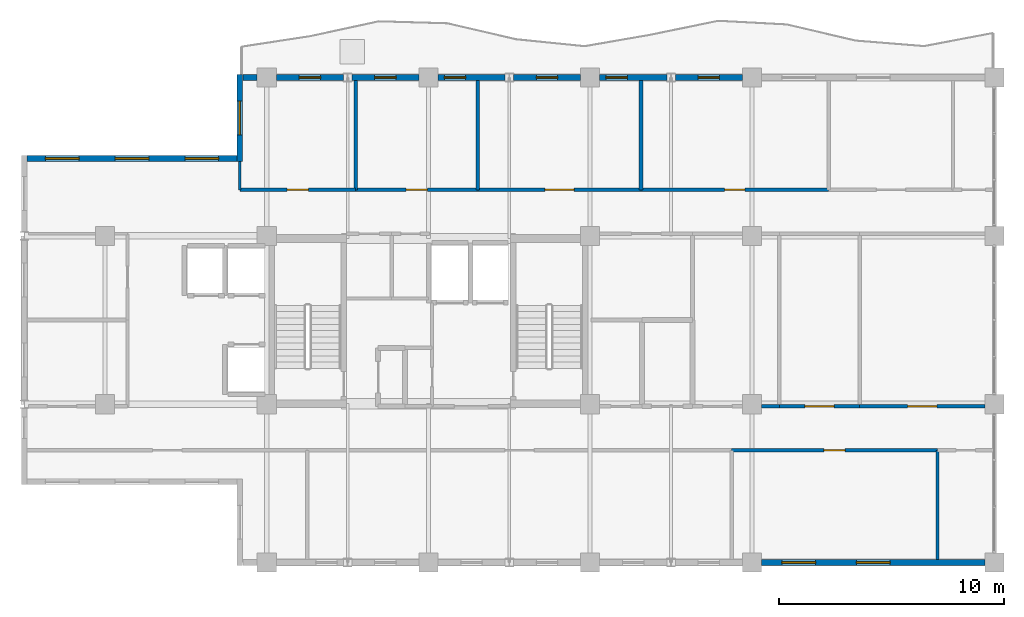
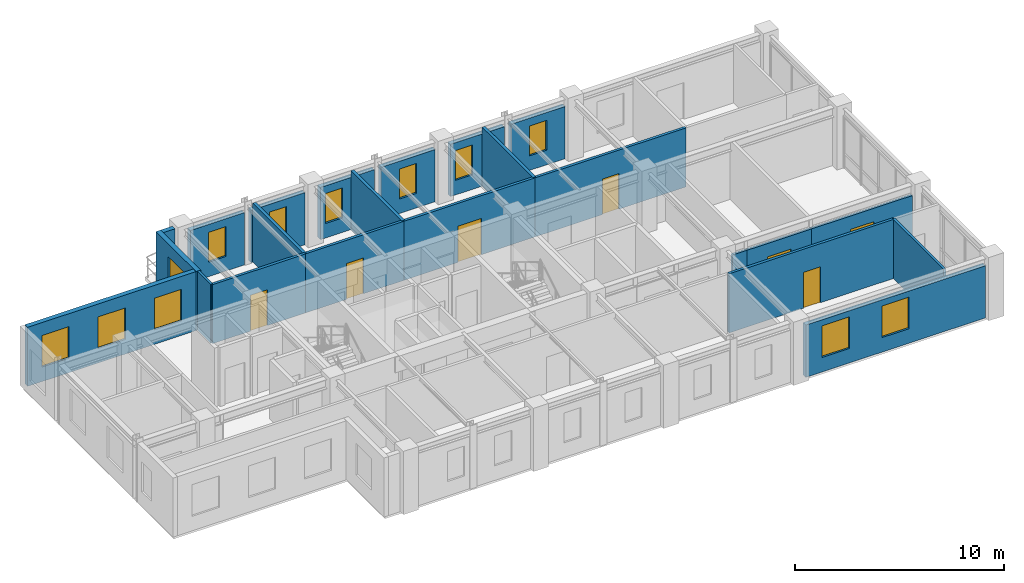
# One storey, part 8 of 10: 23 walls, 12 windows, 7 doors, 19 openings.
"""IFC4 building model written with IfcOpenShell, lengths in metres."""

from ifc_helpers import new_model, si_unit, direction, frame, frame_2d, origin, place, context, subcontext, project, spatial, rectangle, extrude, material, layer, layer_set, type_object, element, fill, save


model = new_model("IFC4")

# Units and contexts
model_context = context("Model", 3, precision=1e-05, world=origin(), true_north=direction((0.0, 1.0)))
body_context = subcontext(model_context, "Body", "Model", "MODEL_VIEW")
ifc_project = project(units=[si_unit("LENGTHUNIT", "METRE"), si_unit("AREAUNIT", "SQUARE_METRE"), si_unit("VOLUMEUNIT", "CUBIC_METRE"), si_unit("PLANEANGLEUNIT", "RADIAN"), si_unit("MASSUNIT", "GRAM", prefix="KILO")], contexts=[model_context])

# Site, building, storey
site_placement = place(None, origin())
site = spatial("IfcSite", under=ifc_project, at=site_placement, CompositionType="ELEMENT")
building_placement = place(site_placement, origin())
building = spatial("IfcBuilding", under=site, at=building_placement, Name="Kaliganga Portal Commons", CompositionType="ELEMENT")
storey_placement = place(building_placement, frame((0.0, 0.0, 283.199951171875)))
storey = spatial("IfcBuildingStorey", under=building, at=storey_placement, Name="L73", CompositionType="ELEMENT", Elevation=283.199951171875)

# Wall, openings, windows
ifc_material_1 = material(Name="Insulated Aluminium-Clad Spandrel Assembly", Category="aluminium")
ifc_layer_1 = layer(ifc_material_1, 0.260009765625)
ifc_layer_set_1 = layer_set([ifc_layer_1], Name="Insulated Aluminium-Clad Spandrel Assembly")
wall_type_1 = type_object("IfcWallType", Name="WL-EXT-SPAND-260", PredefinedType="STANDARD", material=ifc_layer_set_1)
wall_1_placement = place(storey_placement, frame((46.3740234375, 21.60009765625, 0.0), z_axis=(0.0, 0.0, 1.0), x_axis=(-1.0, 0.0, 0.0)))
wall_1 = element("IfcWall", 1, at=wall_1_placement, inside=storey, type_object=wall_type_1, Name="Exterior Envelope Wall L73 P1-E00-S8", PredefinedType="STANDARD", context=body_context, shape_type="SweptSolid", body=[
    extrude(rectangle(XDim=9.947998046875, YDim=0.260009765625, at=frame_2d((4.97412109375, 0.0))), origin(), (0.0, 0.0, 1.0), 3.054931640625),
])
opening_1_placement = place(wall_1_placement, frame((4.22412109375, 0.0, 0.85009765625)))
opening_1 = element("IfcOpeningElement", 2, at=opening_1_placement, cuts=wall_1, Name="Opening W-02", PredefinedType="OPENING", context=body_context, shape_type="SweptSolid", body=[
    extrude(rectangle(XDim=1.5, YDim=1.85009765625, at=frame_2d((0.75, 0.925048828125))), frame((0.0, 0.14013671875, 0.0), z_axis=(0.0, -1.0, 0.0), x_axis=(1.0, 0.0, 0.0)), (0.0, 0.0, 1.0), 0.280029296875),
])
opening_2_placement = place(wall_1_placement, frame((7.5400390625, 0.0, 0.85009765625)))
opening_2 = element("IfcOpeningElement", 3, at=opening_2_placement, cuts=wall_1, Name="Opening W-02", PredefinedType="OPENING", context=body_context, shape_type="SweptSolid", body=[
    extrude(rectangle(XDim=1.5, YDim=1.85009765625, at=frame_2d((0.75, 0.925048828125))), frame((0.0, 0.14013671875, 0.0), z_axis=(0.0, -1.0, 0.0), x_axis=(1.0, 0.0, 0.0)), (0.0, 0.0, 1.0), 0.280029296875),
])
ifc_material_2 = material(Name="Thermally Broken Aluminium and Low-E Double Glazing", Category="aluminium")
window_type_1 = type_object("IfcWindowType", Name="WIN-STD-1500", PartitioningType="DOUBLE_PANEL_VERTICAL", PredefinedType="WINDOW", material=ifc_material_2)
window_1_placement = place(opening_1_placement, origin())
window_1 = element("IfcWindow", 4, at=window_1_placement, inside=storey, type_object=window_type_1, Name="Facade Window L73-P1E00S8-01", OverallHeight=1.85009765625, OverallWidth=1.5, PartitioningType="SINGLE_PANEL", PredefinedType="WINDOW", context=body_context, shape_type="SweptSolid", body=[
    extrude(rectangle(XDim=1.5, YDim=1.85009765625, at=frame_2d((0.75, 0.925048828125))), frame((0.0, 0.030029296875, 0.0), z_axis=(0.0, -1.0, 0.0), x_axis=(1.0, 0.0, 0.0)), (0.0, 0.0, 1.0), 0.06005859375),
])
fill(opening_1, window_1)
window_2_placement = place(opening_2_placement, origin())
window_2 = element("IfcWindow", 5, at=window_2_placement, inside=storey, type_object=window_type_1, Name="Facade Window L73-P1E00S8-02", OverallHeight=1.85009765625, OverallWidth=1.5, PartitioningType="SINGLE_PANEL", PredefinedType="WINDOW", context=body_context, shape_type="SweptSolid", body=[
    extrude(rectangle(XDim=1.5, YDim=1.85009765625, at=frame_2d((0.75, 0.925048828125))), frame((0.0, 0.030029296875, 0.0), z_axis=(0.0, -1.0, 0.0), x_axis=(1.0, 0.0, 0.0)), (0.0, 0.0, 1.0), 0.06005859375),
])
fill(opening_2, window_2)

# Wall, opening, window
wall_2_placement = place(storey_placement, frame((32.587890625, 43.199951171875, 0.0), z_axis=(0.0, 0.0, 1.0), x_axis=(1.0, 0.0, 0.0)))
wall_2 = element("IfcWall", 6, at=wall_2_placement, inside=storey, type_object=wall_type_1, Name="Exterior Envelope Wall L73 P1-E02-S2", PredefinedType="STANDARD", context=body_context, shape_type="SweptSolid", body=[
    extrude(rectangle(XDim=2.986083984375, YDim=0.260009765625, at=frame_2d((1.4931640625, 0.0))), origin(), (0.0, 0.0, 1.0), 3.054931640625),
])
opening_3_placement = place(wall_2_placement, frame((1.01806640625, 0.0, 0.85009765625)))
opening_3 = element("IfcOpeningElement", 7, at=opening_3_placement, cuts=wall_2, Name="Opening W-04", PredefinedType="OPENING", context=body_context, shape_type="SweptSolid", body=[
    extrude(rectangle(XDim=0.949951171875, YDim=1.75, at=frame_2d((0.47509765625, 0.875))), frame((0.0, 0.14013671875, 0.0), z_axis=(0.0, -1.0, 0.0), x_axis=(1.0, 0.0, 0.0)), (0.0, 0.0, 1.0), 0.280029296875),
])
window_type_2 = type_object("IfcWindowType", Name="WIN-NARROW-950", PartitioningType="SINGLE_PANEL", PredefinedType="WINDOW", material=ifc_material_2)
window_3_placement = place(opening_3_placement, origin())
window_3 = element("IfcWindow", 8, at=window_3_placement, inside=storey, type_object=window_type_2, Name="Facade Window L73-P1E02S2-00", OverallHeight=1.75, OverallWidth=0.949951171875, PartitioningType="SINGLE_PANEL", PredefinedType="WINDOW", context=body_context, shape_type="SweptSolid", body=[
    extrude(rectangle(XDim=0.949951171875, YDim=1.75, at=frame_2d((0.47509765625, 0.875))), frame((0.0, 0.030029296875, 0.0), z_axis=(0.0, -1.0, 0.0), x_axis=(1.0, 0.0, 0.0)), (0.0, 0.0, 1.0), 0.06005859375),
])
fill(opening_3, window_3)

wall_3_placement = place(storey_placement, frame((29.22607421875, 43.199951171875, 0.0), z_axis=(0.0, 0.0, 1.0), x_axis=(1.0, 0.0, 0.0)))
wall_3 = element("IfcWall", 9, at=wall_3_placement, inside=storey, type_object=wall_type_1, Name="Exterior Envelope Wall L73 P1-E02-S3", PredefinedType="STANDARD", context=body_context, shape_type="SweptSolid", body=[
    extrude(rectangle(XDim=2.98583984375, YDim=0.260009765625, at=frame_2d((1.492919921875, 0.0))), origin(), (0.0, 0.0, 1.0), 3.054931640625),
])
opening_4_placement = place(wall_3_placement, frame((0.277587890625, 0.0, 0.85009765625)))
opening_4 = element("IfcOpeningElement", 10, at=opening_4_placement, cuts=wall_3, Name="Opening W-04", PredefinedType="OPENING", context=body_context, shape_type="SweptSolid", body=[
    extrude(rectangle(XDim=0.949951171875, YDim=1.75, at=frame_2d((0.47509765625, 0.875))), frame((0.0, 0.14013671875, 0.0), z_axis=(0.0, -1.0, 0.0), x_axis=(1.0, 0.0, 0.0)), (0.0, 0.0, 1.0), 0.280029296875),
])
window_4_placement = place(opening_4_placement, origin())
window_4 = element("IfcWindow", 11, at=window_4_placement, inside=storey, type_object=window_type_2, Name="Facade Window L73-P1E02S3-N1", OverallHeight=1.75, OverallWidth=0.949951171875, PartitioningType="SINGLE_PANEL", PredefinedType="WINDOW", context=body_context, shape_type="SweptSolid", body=[
    extrude(rectangle(XDim=0.949951171875, YDim=1.75, at=frame_2d((0.47509765625, 0.875))), frame((0.0, 0.030029296875, 0.0), z_axis=(0.0, -1.0, 0.0), x_axis=(1.0, 0.0, 0.0)), (0.0, 0.0, 1.0), 0.06005859375),
])
fill(opening_4, window_4)

wall_4_placement = place(storey_placement, frame((25.387939453125, 43.199951171875, 0.0), z_axis=(0.0, 0.0, 1.0), x_axis=(1.0, 0.0, 0.0)))
wall_4 = element("IfcWall", 12, at=wall_4_placement, inside=storey, type_object=wall_type_1, Name="Exterior Envelope Wall L73 P1-E02-S4", PredefinedType="STANDARD", context=body_context, shape_type="SweptSolid", body=[
    extrude(rectangle(XDim=2.986083984375, YDim=0.260009765625, at=frame_2d((1.4931640625, 0.0))), origin(), (0.0, 0.0, 1.0), 3.054931640625),
])
opening_5_placement = place(wall_4_placement, frame((1.01806640625, 0.0, 0.85009765625)))
opening_5 = element("IfcOpeningElement", 13, at=opening_5_placement, cuts=wall_4, Name="Opening W-04", PredefinedType="OPENING", context=body_context, shape_type="SweptSolid", body=[
    extrude(rectangle(XDim=0.949951171875, YDim=1.75, at=frame_2d((0.47509765625, 0.875))), frame((0.0, 0.14013671875, 0.0), z_axis=(0.0, -1.0, 0.0), x_axis=(1.0, 0.0, 0.0)), (0.0, 0.0, 1.0), 0.280029296875),
])
window_5_placement = place(opening_5_placement, origin())
window_5 = element("IfcWindow", 14, at=window_5_placement, inside=storey, type_object=window_type_2, Name="Facade Window L73-P1E02S4-00", OverallHeight=1.75, OverallWidth=0.949951171875, PartitioningType="SINGLE_PANEL", PredefinedType="WINDOW", context=body_context, shape_type="SweptSolid", body=[
    extrude(rectangle(XDim=0.949951171875, YDim=1.75, at=frame_2d((0.47509765625, 0.875))), frame((0.0, 0.030029296875, 0.0), z_axis=(0.0, -1.0, 0.0), x_axis=(1.0, 0.0, 0.0)), (0.0, 0.0, 1.0), 0.06005859375),
])
fill(opening_5, window_5)

wall_5_placement = place(storey_placement, frame((22.02587890625, 43.199951171875, 0.0), z_axis=(0.0, 0.0, 1.0), x_axis=(1.0, 0.0, 0.0)))
wall_5 = element("IfcWall", 15, at=wall_5_placement, inside=storey, type_object=wall_type_1, Name="Exterior Envelope Wall L73 P1-E02-S5", PredefinedType="STANDARD", context=body_context, shape_type="SweptSolid", body=[
    extrude(rectangle(XDim=2.986083984375, YDim=0.260009765625, at=frame_2d((1.4931640625, 0.0))), origin(), (0.0, 0.0, 1.0), 3.054931640625),
])
opening_6_placement = place(wall_5_placement, frame((0.277587890625, 0.0, 0.85009765625)))
opening_6 = element("IfcOpeningElement", 16, at=opening_6_placement, cuts=wall_5, Name="Opening W-04", PredefinedType="OPENING", context=body_context, shape_type="SweptSolid", body=[
    extrude(rectangle(XDim=0.949951171875, YDim=1.75, at=frame_2d((0.47509765625, 0.875))), frame((0.0, 0.14013671875, 0.0), z_axis=(0.0, -1.0, 0.0), x_axis=(1.0, 0.0, 0.0)), (0.0, 0.0, 1.0), 0.280029296875),
])
window_6_placement = place(opening_6_placement, origin())
window_6 = element("IfcWindow", 17, at=window_6_placement, inside=storey, type_object=window_type_2, Name="Facade Window L73-P1E02S5-N1", OverallHeight=1.75, OverallWidth=0.949951171875, PartitioningType="SINGLE_PANEL", PredefinedType="WINDOW", context=body_context, shape_type="SweptSolid", body=[
    extrude(rectangle(XDim=0.949951171875, YDim=1.75, at=frame_2d((0.47509765625, 0.875))), frame((0.0, 0.030029296875, 0.0), z_axis=(0.0, -1.0, 0.0), x_axis=(1.0, 0.0, 0.0)), (0.0, 0.0, 1.0), 0.06005859375),
])
fill(opening_6, window_6)

wall_6_placement = place(storey_placement, frame((18.18798828125, 43.199951171875, 0.0), z_axis=(0.0, 0.0, 1.0), x_axis=(1.0, 0.0, 0.0)))
wall_6 = element("IfcWall", 18, at=wall_6_placement, inside=storey, type_object=wall_type_1, Name="Exterior Envelope Wall L73 P1-E02-S6", PredefinedType="STANDARD", context=body_context, shape_type="SweptSolid", body=[
    extrude(rectangle(XDim=2.986083984375, YDim=0.260009765625, at=frame_2d((1.4931640625, 0.0))), origin(), (0.0, 0.0, 1.0), 3.054931640625),
])
opening_7_placement = place(wall_6_placement, frame((1.01806640625, 0.0, 0.85009765625)))
opening_7 = element("IfcOpeningElement", 19, at=opening_7_placement, cuts=wall_6, Name="Opening W-04", PredefinedType="OPENING", context=body_context, shape_type="SweptSolid", body=[
    extrude(rectangle(XDim=0.949951171875, YDim=1.75, at=frame_2d((0.47509765625, 0.875))), frame((0.0, 0.14013671875, 0.0), z_axis=(0.0, -1.0, 0.0), x_axis=(1.0, 0.0, 0.0)), (0.0, 0.0, 1.0), 0.280029296875),
])
window_7_placement = place(opening_7_placement, origin())
window_7 = element("IfcWindow", 20, at=window_7_placement, inside=storey, type_object=window_type_2, Name="Facade Window L73-P1E02S6-00", OverallHeight=1.75, OverallWidth=0.949951171875, PartitioningType="SINGLE_PANEL", PredefinedType="WINDOW", context=body_context, shape_type="SweptSolid", body=[
    extrude(rectangle(XDim=0.949951171875, YDim=1.75, at=frame_2d((0.47509765625, 0.875))), frame((0.0, 0.030029296875, 0.0), z_axis=(0.0, -1.0, 0.0), x_axis=(1.0, 0.0, 0.0)), (0.0, 0.0, 1.0), 0.06005859375),
])
fill(opening_7, window_7)

wall_7_placement = place(storey_placement, frame((14.825927734375, 43.199951171875, 0.0), z_axis=(0.0, 0.0, 1.0), x_axis=(1.0, 0.0, 0.0)))
wall_7 = element("IfcWall", 21, at=wall_7_placement, inside=storey, type_object=wall_type_1, Name="Exterior Envelope Wall L73 P1-E02-S7", PredefinedType="STANDARD", context=body_context, shape_type="SweptSolid", body=[
    extrude(rectangle(XDim=2.986083984375, YDim=0.260009765625, at=frame_2d((1.4931640625, 0.0))), origin(), (0.0, 0.0, 1.0), 3.054931640625),
])
opening_8_placement = place(wall_7_placement, frame((1.01806640625, 0.0, 0.85009765625)))
opening_8 = element("IfcOpeningElement", 22, at=opening_8_placement, cuts=wall_7, Name="Opening W-04", PredefinedType="OPENING", context=body_context, shape_type="SweptSolid", body=[
    extrude(rectangle(XDim=0.949951171875, YDim=1.75, at=frame_2d((0.47509765625, 0.875))), frame((0.0, 0.14013671875, 0.0), z_axis=(0.0, -1.0, 0.0), x_axis=(1.0, 0.0, 0.0)), (0.0, 0.0, 1.0), 0.280029296875),
])
window_8_placement = place(opening_8_placement, origin())
window_8 = element("IfcWindow", 23, at=window_8_placement, inside=storey, type_object=window_type_2, Name="Facade Window L73-P1E02S7-00", OverallHeight=1.75, OverallWidth=0.949951171875, PartitioningType="SINGLE_PANEL", PredefinedType="WINDOW", context=body_context, shape_type="SweptSolid", body=[
    extrude(rectangle(XDim=0.949951171875, YDim=1.75, at=frame_2d((0.47509765625, 0.875))), frame((0.0, 0.030029296875, 0.0), z_axis=(0.0, -1.0, 0.0), x_axis=(1.0, 0.0, 0.0)), (0.0, 0.0, 1.0), 0.06005859375),
])
fill(opening_8, window_8)

# Wall
wall_8_placement = place(storey_placement, frame((13.3349609375, 43.199951171875, 0.0), z_axis=(0.0, 0.0, 1.0), x_axis=(1.0, 0.0, 0.0)))
element("IfcWall", 24, at=wall_8_placement, inside=storey, type_object=wall_type_1, Name="Exterior Envelope Wall L73 P1-E02-S8", PredefinedType="STANDARD", context=body_context, shape_type="SweptSolid", body=[
    extrude(rectangle(XDim=0.63916015625, YDim=0.260009765625, at=frame_2d((0.319580078125, 0.0))), origin(), (0.0, 0.0, 1.0), 3.455078125),
])

# Wall, opening, window
wall_9_placement = place(storey_placement, frame((13.199951171875, 39.469970703125, 0.0), z_axis=(0.0, 0.0, 1.0), x_axis=(0.0, 1.0, 0.0)))
wall_9 = element("IfcWall", 25, at=wall_9_placement, inside=storey, type_object=wall_type_1, Name="Exterior Envelope Wall L73 P1-E03-S1", PredefinedType="STANDARD", context=body_context, shape_type="SweptSolid", body=[
    extrude(rectangle(XDim=3.860107421875, YDim=0.260009765625, at=frame_2d((1.93017578125, 0.0))), origin(), (0.0, 0.0, 1.0), 3.455078125),
])
opening_9_placement = place(wall_9_placement, frame((1.179931640625, 0.0, 0.85009765625)))
opening_9 = element("IfcOpeningElement", 26, at=opening_9_placement, cuts=wall_9, Name="Opening W-02", PredefinedType="OPENING", context=body_context, shape_type="SweptSolid", body=[
    extrude(rectangle(XDim=1.5, YDim=1.85009765625, at=frame_2d((0.75, 0.925048828125))), frame((0.0, 0.14013671875, 0.0), z_axis=(0.0, -1.0, 0.0), x_axis=(1.0, 0.0, 0.0)), (0.0, 0.0, 1.0), 0.280029296875),
])
window_9_placement = place(opening_9_placement, origin())
window_9 = element("IfcWindow", 27, at=window_9_placement, inside=storey, type_object=window_type_1, Name="Facade Window L73-P1E03S1-00", OverallHeight=1.85009765625, OverallWidth=1.5, PartitioningType="SINGLE_PANEL", PredefinedType="WINDOW", context=body_context, shape_type="SweptSolid", body=[
    extrude(rectangle(XDim=1.5, YDim=1.85009765625, at=frame_2d((0.75, 0.925048828125))), frame((0.0, 0.030029296875, 0.0), z_axis=(0.0, -1.0, 0.0), x_axis=(1.0, 0.0, 0.0)), (0.0, 0.0, 1.0), 0.06005859375),
])
fill(opening_9, window_9)

# Wall, openings, windows
wall_10_placement = place(storey_placement, frame((3.735107421875, 39.60009765625, 0.0), z_axis=(0.0, 0.0, 1.0), x_axis=(1.0, 0.0, 0.0)))
wall_10 = element("IfcWall", 28, at=wall_10_placement, inside=storey, type_object=wall_type_1, Name="Exterior Envelope Wall L73 P1-E04-S1", PredefinedType="STANDARD", context=body_context, shape_type="SweptSolid", body=[
    extrude(rectangle(XDim=9.329833984375, YDim=0.260009765625, at=frame_2d((4.6650390625, 0.0))), origin(), (0.0, 0.0, 1.0), 3.455078125),
])
opening_10_placement = place(wall_10_placement, frame((0.804931640625, 0.0, 0.85009765625)))
opening_10 = element("IfcOpeningElement", 29, at=opening_10_placement, cuts=wall_10, Name="Opening W-02", PredefinedType="OPENING", context=body_context, shape_type="SweptSolid", body=[
    extrude(rectangle(XDim=1.5, YDim=1.85009765625, at=frame_2d((0.75, 0.925048828125))), frame((0.0, 0.14013671875, 0.0), z_axis=(0.0, -1.0, 0.0), x_axis=(1.0, 0.0, 0.0)), (0.0, 0.0, 1.0), 0.280029296875),
])
opening_11_placement = place(wall_10_placement, frame((3.9150390625, 0.0, 0.85009765625)))
opening_11 = element("IfcOpeningElement", 30, at=opening_11_placement, cuts=wall_10, Name="Opening W-02", PredefinedType="OPENING", context=body_context, shape_type="SweptSolid", body=[
    extrude(rectangle(XDim=1.5, YDim=1.85009765625, at=frame_2d((0.75, 0.925048828125))), frame((0.0, 0.14013671875, 0.0), z_axis=(0.0, -1.0, 0.0), x_axis=(1.0, 0.0, 0.0)), (0.0, 0.0, 1.0), 0.280029296875),
])
opening_12_placement = place(wall_10_placement, frame((7.02490234375, 0.0, 0.85009765625)))
opening_12 = element("IfcOpeningElement", 31, at=opening_12_placement, cuts=wall_10, Name="Opening W-02", PredefinedType="OPENING", context=body_context, shape_type="SweptSolid", body=[
    extrude(rectangle(XDim=1.5, YDim=1.85009765625, at=frame_2d((0.75, 0.925048828125))), frame((0.0, 0.14013671875, 0.0), z_axis=(0.0, -1.0, 0.0), x_axis=(1.0, 0.0, 0.0)), (0.0, 0.0, 1.0), 0.280029296875),
])
window_10_placement = place(opening_10_placement, origin())
window_10 = element("IfcWindow", 32, at=window_10_placement, inside=storey, type_object=window_type_1, Name="Facade Window L73-P1E04S1-00", OverallHeight=1.85009765625, OverallWidth=1.5, PartitioningType="SINGLE_PANEL", PredefinedType="WINDOW", context=body_context, shape_type="SweptSolid", body=[
    extrude(rectangle(XDim=1.5, YDim=1.85009765625, at=frame_2d((0.75, 0.925048828125))), frame((0.0, 0.030029296875, 0.0), z_axis=(0.0, -1.0, 0.0), x_axis=(1.0, 0.0, 0.0)), (0.0, 0.0, 1.0), 0.06005859375),
])
fill(opening_10, window_10)
window_11_placement = place(opening_11_placement, origin())
window_11 = element("IfcWindow", 33, at=window_11_placement, inside=storey, type_object=window_type_1, Name="Facade Window L73-P1E04S1-01", OverallHeight=1.85009765625, OverallWidth=1.5, PartitioningType="SINGLE_PANEL", PredefinedType="WINDOW", context=body_context, shape_type="SweptSolid", body=[
    extrude(rectangle(XDim=1.5, YDim=1.85009765625, at=frame_2d((0.75, 0.925048828125))), frame((0.0, 0.030029296875, 0.0), z_axis=(0.0, -1.0, 0.0), x_axis=(1.0, 0.0, 0.0)), (0.0, 0.0, 1.0), 0.06005859375),
])
fill(opening_11, window_11)
window_12_placement = place(opening_12_placement, origin())
window_12 = element("IfcWindow", 34, at=window_12_placement, inside=storey, type_object=window_type_1, Name="Facade Window L73-P1E04S1-02", OverallHeight=1.85009765625, OverallWidth=1.5, PartitioningType="SINGLE_PANEL", PredefinedType="WINDOW", context=body_context, shape_type="SweptSolid", body=[
    extrude(rectangle(XDim=1.5, YDim=1.85009765625, at=frame_2d((0.75, 0.925048828125))), frame((0.0, 0.030029296875, 0.0), z_axis=(0.0, -1.0, 0.0), x_axis=(1.0, 0.0, 0.0)), (0.0, 0.0, 1.0), 0.06005859375),
])
fill(opening_12, window_12)

# Wall, opening, door
ifc_material_3 = material(Name="Fire-Rated Gypsum Board on Steel Stud", Category="steel")
ifc_layer_2 = layer(ifc_material_3, 0.14990234375)
ifc_layer_set_2 = layer_set([ifc_layer_2], Name="Fire-Rated Gypsum Board on Steel Stud")
wall_type_2 = type_object("IfcWallType", Name="WL-PART-CORR-150", PredefinedType="PARTITIONING", material=ifc_layer_set_2)
wall_11_placement = place(storey_placement, frame((35.10009765625, 26.60009765625, 0.0), z_axis=(0.0, 0.0, 1.0), x_axis=(1.0, 0.0, 0.0)))
wall_11 = element("IfcWall", 35, at=wall_11_placement, inside=storey, type_object=wall_type_2, Name="Interior Partition L73-003", PredefinedType="PARTITIONING", context=body_context, shape_type="SweptSolid", body=[
    extrude(rectangle(XDim=9.159912109375, YDim=0.14990234375, at=frame_2d((4.580078125, 0.0))), origin(), (0.0, 0.0, 1.0), 3.455078125),
])
opening_13_placement = place(wall_11_placement, frame((4.10498046875, 0.0, 0.0)))
opening_13 = element("IfcOpeningElement", 36, at=opening_13_placement, cuts=wall_11, Name="Opening UD-01", PredefinedType="OPENING", context=body_context, shape_type="SweptSolid", body=[
    extrude(rectangle(XDim=0.949951171875, YDim=2.10009765625, at=frame_2d((0.47509765625, 1.050048828125))), frame((0.0, 0.0849609375, 0.0), z_axis=(0.0, -1.0, 0.0), x_axis=(1.0, 0.0, 0.0)), (0.0, 0.0, 1.0), 0.169921875),
])
ifc_material_4 = material(Name="Solid-Core Timber Acoustic Fire Door", Category="wood")
door_type_1 = type_object("IfcDoorType", Name="DR-UNIT-950", OperationType="NOTDEFINED", PredefinedType="DOOR", material=ifc_material_4)
door_1_placement = place(opening_13_placement, origin())
door_1 = element("IfcDoor", 37, at=door_1_placement, inside=storey, type_object=door_type_1, Name="Interior Door L73-AS03", OperationType="SINGLE_SWING_RIGHT", OverallHeight=2.10009765625, OverallWidth=0.949951171875, PredefinedType="DOOR", context=body_context, shape_type="SweptSolid", body=[
    extrude(rectangle(XDim=0.949951171875, YDim=2.10009765625, at=frame_2d((0.47509765625, 1.050048828125))), frame((0.0, 0.02490234375, 0.0), z_axis=(0.0, -1.0, 0.0), x_axis=(1.0, 0.0, 0.0)), (0.0, 0.0, 1.0), 0.050048828125),
])
fill(opening_13, door_1)

wall_12_placement = place(storey_placement, frame((31.06005859375, 38.199951171875, 0.0), z_axis=(0.0, 0.0, 1.0), x_axis=(1.0, 0.0, 0.0)))
wall_12 = element("IfcWall", 38, at=wall_12_placement, inside=storey, type_object=wall_type_2, Name="Interior Partition L73-004", PredefinedType="PARTITIONING", context=body_context, shape_type="SweptSolid", body=[
    extrude(rectangle(XDim=8.35986328125, YDim=0.14990234375, at=frame_2d((4.179931640625, 0.0))), origin(), (0.0, 0.0, 1.0), 3.455078125),
])
opening_14_placement = place(wall_12_placement, frame((3.72998046875, 0.0, 0.0)))
opening_14 = element("IfcOpeningElement", 39, at=opening_14_placement, cuts=wall_12, Name="Opening RD-01", PredefinedType="OPENING", context=body_context, shape_type="SweptSolid", body=[
    extrude(rectangle(XDim=0.89990234375, YDim=2.080078125, at=frame_2d((0.449951171875, 1.0400390625))), frame((0.0, 0.0849609375, 0.0), z_axis=(0.0, -1.0, 0.0), x_axis=(1.0, 0.0, 0.0)), (0.0, 0.0, 1.0), 0.169921875),
])
ifc_material_5 = material(Name="Engineered Timber Flush Door", Category="wood")
door_type_2 = type_object("IfcDoorType", Name="DR-ROOM-900", OperationType="NOTDEFINED", PredefinedType="DOOR", material=ifc_material_5)
door_2_placement = place(opening_14_placement, origin())
door_2 = element("IfcDoor", 40, at=door_2_placement, inside=storey, type_object=door_type_2, Name="Interior Door L73-AN04", OperationType="SINGLE_SWING_LEFT", OverallHeight=2.080078125, OverallWidth=0.89990234375, PredefinedType="DOOR", context=body_context, shape_type="SweptSolid", body=[
    extrude(rectangle(XDim=0.89990234375, YDim=2.080078125, at=frame_2d((0.449951171875, 1.0400390625))), frame((0.0, 0.02490234375, 0.0), z_axis=(0.0, -1.0, 0.0), x_axis=(1.0, 0.0, 0.0)), (0.0, 0.0, 1.0), 0.050048828125),
])
fill(opening_14, door_2)

wall_13_placement = place(storey_placement, frame((23.800048828125, 38.199951171875, 0.0), z_axis=(0.0, 0.0, 1.0), x_axis=(1.0, 0.0, 0.0)))
wall_13 = element("IfcWall", 41, at=wall_13_placement, inside=storey, type_object=wall_type_2, Name="Interior Partition L73-005", PredefinedType="PARTITIONING", context=body_context, shape_type="SweptSolid", body=[
    extrude(rectangle(XDim=7.260009765625, YDim=0.14990234375, at=frame_2d((3.6298828125, 0.0))), origin(), (0.0, 0.0, 1.0), 3.455078125),
])
opening_15_placement = place(wall_13_placement, frame((2.97998046875, 0.0, 0.0)))
opening_15 = element("IfcOpeningElement", 42, at=opening_15_placement, cuts=wall_13, Name="Opening RD-03", PredefinedType="OPENING", context=body_context, shape_type="SweptSolid", body=[
    extrude(rectangle(XDim=1.300048828125, YDim=2.1201171875, at=frame_2d((0.64990234375, 1.06005859375))), frame((0.0, 0.0849609375, 0.0), z_axis=(0.0, -1.0, 0.0), x_axis=(1.0, 0.0, 0.0)), (0.0, 0.0, 1.0), 0.169921875),
])
ifc_material_6 = material(Name="Glazed Timber Seminar Vision Door", Category="wood")
door_type_3 = type_object("IfcDoorType", Name="DR-STUDY-1300", OperationType="DOUBLE_DOOR_SINGLE_SWING", PredefinedType="DOOR", material=ifc_material_6)
door_3_placement = place(opening_15_placement, origin())
door_3 = element("IfcDoor", 43, at=door_3_placement, inside=storey, type_object=door_type_3, Name="Interior Door L73-AN03", OperationType="DOUBLE_DOOR_SINGLE_SWING", OverallHeight=2.1201171875, OverallWidth=1.300048828125, PredefinedType="DOOR", context=body_context, shape_type="SweptSolid", body=[
    extrude(rectangle(XDim=1.300048828125, YDim=2.1201171875, at=frame_2d((0.64990234375, 1.06005859375))), frame((0.0, 0.02490234375, 0.0), z_axis=(0.0, -1.0, 0.0), x_axis=(1.0, 0.0, 0.0)), (0.0, 0.0, 1.0), 0.050048828125),
])
fill(opening_15, door_3)

wall_14_placement = place(storey_placement, frame((40.800048828125, 28.56005859375, 0.0), z_axis=(0.0, 0.0, 1.0), x_axis=(1.0, 0.0, 0.0)))
wall_14 = element("IfcWall", 44, at=wall_14_placement, inside=storey, type_object=wall_type_2, Name="Interior Partition L73-006", PredefinedType="PARTITIONING", context=body_context, shape_type="SweptSolid", body=[
    extrude(rectangle(XDim=5.574951171875, YDim=0.14990234375, at=frame_2d((2.78759765625, 0.0))), origin(), (0.0, 0.0, 1.0), 2.905029296875),
])
opening_16_placement = place(wall_14_placement, frame((2.137451171875, 0.0, 0.0)))
opening_16 = element("IfcOpeningElement", 45, at=opening_16_placement, cuts=wall_14, Name="Opening RD-03", PredefinedType="OPENING", context=body_context, shape_type="SweptSolid", body=[
    extrude(rectangle(XDim=1.300048828125, YDim=2.1201171875, at=frame_2d((0.64990234375, 1.06005859375))), frame((0.0, 0.0849609375, 0.0), z_axis=(0.0, -1.0, 0.0), x_axis=(1.0, 0.0, 0.0)), (0.0, 0.0, 1.0), 0.169921875),
])
door_4_placement = place(opening_16_placement, origin())
door_4 = element("IfcDoor", 46, at=door_4_placement, inside=storey, type_object=door_type_3, Name="Interior Door L73-AE03", OperationType="DOUBLE_DOOR_SINGLE_SWING", OverallHeight=2.1201171875, OverallWidth=1.300048828125, PredefinedType="DOOR", context=body_context, shape_type="SweptSolid", body=[
    extrude(rectangle(XDim=1.300048828125, YDim=2.1201171875, at=frame_2d((0.64990234375, 1.06005859375))), frame((0.0, 0.02490234375, 0.0), z_axis=(0.0, -1.0, 0.0), x_axis=(1.0, 0.0, 0.0)), (0.0, 0.0, 1.0), 0.050048828125),
])
fill(opening_16, door_4)

wall_15_placement = place(storey_placement, frame((18.360107421875, 38.199951171875, 0.0), z_axis=(0.0, 0.0, 1.0), x_axis=(1.0, 0.0, 0.0)))
wall_15 = element("IfcWall", 47, at=wall_15_placement, inside=storey, type_object=wall_type_2, Name="Interior Partition L73-009", PredefinedType="PARTITIONING", context=body_context, shape_type="SweptSolid", body=[
    extrude(rectangle(XDim=5.43994140625, YDim=0.14990234375, at=frame_2d((2.719970703125, 0.0))), origin(), (0.0, 0.0, 1.0), 3.455078125),
])
opening_17_placement = place(wall_15_placement, frame((2.2451171875, 0.0, 0.0)))
opening_17 = element("IfcOpeningElement", 48, at=opening_17_placement, cuts=wall_15, Name="Opening UD-01", PredefinedType="OPENING", context=body_context, shape_type="SweptSolid", body=[
    extrude(rectangle(XDim=0.949951171875, YDim=2.10009765625, at=frame_2d((0.47509765625, 1.050048828125))), frame((0.0, 0.0849609375, 0.0), z_axis=(0.0, -1.0, 0.0), x_axis=(1.0, 0.0, 0.0)), (0.0, 0.0, 1.0), 0.169921875),
])
door_5_placement = place(opening_17_placement, origin())
door_5 = element("IfcDoor", 49, at=door_5_placement, inside=storey, type_object=door_type_1, Name="Interior Door L73-AN02", OperationType="SINGLE_SWING_LEFT", OverallHeight=2.10009765625, OverallWidth=0.949951171875, PredefinedType="DOOR", context=body_context, shape_type="SweptSolid", body=[
    extrude(rectangle(XDim=0.949951171875, YDim=2.10009765625, at=frame_2d((0.47509765625, 1.050048828125))), frame((0.0, 0.02490234375, 0.0), z_axis=(0.0, -1.0, 0.0), x_axis=(1.0, 0.0, 0.0)), (0.0, 0.0, 1.0), 0.050048828125),
])
fill(opening_17, door_5)

wall_16_placement = place(storey_placement, frame((13.199951171875, 38.199951171875, 0.0), z_axis=(0.0, 0.0, 1.0), x_axis=(1.0, 0.0, 0.0)))
wall_16 = element("IfcWall", 50, at=wall_16_placement, inside=storey, type_object=wall_type_2, Name="Interior Partition L73-010", PredefinedType="PARTITIONING", context=body_context, shape_type="SweptSolid", body=[
    extrude(rectangle(XDim=5.16015625, YDim=0.14990234375, at=frame_2d((2.580078125, 0.0))), origin(), (0.0, 0.0, 1.0), 3.455078125),
])
opening_18_placement = place(wall_16_placement, frame((2.10498046875, 0.0, 0.0)))
opening_18 = element("IfcOpeningElement", 51, at=opening_18_placement, cuts=wall_16, Name="Opening UD-01", PredefinedType="OPENING", context=body_context, shape_type="SweptSolid", body=[
    extrude(rectangle(XDim=0.949951171875, YDim=2.10009765625, at=frame_2d((0.47509765625, 1.050048828125))), frame((0.0, 0.0849609375, 0.0), z_axis=(0.0, -1.0, 0.0), x_axis=(1.0, 0.0, 0.0)), (0.0, 0.0, 1.0), 0.169921875),
])
door_6_placement = place(opening_18_placement, origin())
door_6 = element("IfcDoor", 52, at=door_6_placement, inside=storey, type_object=door_type_1, Name="Interior Door L73-AN01", OperationType="SINGLE_SWING_RIGHT", OverallHeight=2.10009765625, OverallWidth=0.949951171875, PredefinedType="DOOR", context=body_context, shape_type="SweptSolid", body=[
    extrude(rectangle(XDim=0.949951171875, YDim=2.10009765625, at=frame_2d((0.47509765625, 1.050048828125))), frame((0.0, 0.02490234375, 0.0), z_axis=(0.0, -1.0, 0.0), x_axis=(1.0, 0.0, 0.0)), (0.0, 0.0, 1.0), 0.050048828125),
])
fill(opening_18, door_6)

# Wall
wall_17_placement = place(storey_placement, frame((36.425048828125, 28.56005859375, 0.0), z_axis=(0.0, 0.0, 1.0), x_axis=(1.0, 0.0, 0.0)))
element("IfcWall", 53, at=wall_17_placement, inside=storey, type_object=wall_type_2, Name="Interior Partition L73-015", PredefinedType="PARTITIONING", context=body_context, shape_type="SweptSolid", body=[
    extrude(rectangle(XDim=0.794921875, YDim=0.14990234375, at=frame_2d((0.3974609375, 0.0))), origin(), (0.0, 0.0, 1.0), 2.905029296875),
])

# Wall, opening, door
wall_18_placement = place(storey_placement, frame((37.219970703125, 28.56005859375, 0.0), z_axis=(0.0, 0.0, 1.0), x_axis=(1.0, 0.0, 0.0)))
wall_18 = element("IfcWall", 54, at=wall_18_placement, inside=storey, type_object=wall_type_2, Name="Interior Partition L73-020", PredefinedType="PARTITIONING", context=body_context, shape_type="SweptSolid", body=[
    extrude(rectangle(XDim=3.580078125, YDim=0.14990234375, at=frame_2d((1.7900390625, 0.0))), origin(), (0.0, 0.0, 1.0), 2.905029296875),
])
opening_19_placement = place(wall_18_placement, frame((1.139892578125, 0.0, 0.0)))
opening_19 = element("IfcOpeningElement", 55, at=opening_19_placement, cuts=wall_18, Name="Opening RD-03", PredefinedType="OPENING", context=body_context, shape_type="SweptSolid", body=[
    extrude(rectangle(XDim=1.300048828125, YDim=2.1201171875, at=frame_2d((0.64990234375, 1.06005859375))), frame((0.0, 0.0849609375, 0.0), z_axis=(0.0, -1.0, 0.0), x_axis=(1.0, 0.0, 0.0)), (0.0, 0.0, 1.0), 0.169921875),
])
door_7_placement = place(opening_19_placement, origin())
door_7 = element("IfcDoor", 56, at=door_7_placement, inside=storey, type_object=door_type_3, Name="Interior Door L73-AE02", OperationType="DOUBLE_DOOR_SINGLE_SWING", OverallHeight=2.1201171875, OverallWidth=1.300048828125, PredefinedType="DOOR", context=body_context, shape_type="SweptSolid", body=[
    extrude(rectangle(XDim=1.300048828125, YDim=2.1201171875, at=frame_2d((0.64990234375, 1.06005859375))), frame((0.0, 0.02490234375, 0.0), z_axis=(0.0, -1.0, 0.0), x_axis=(1.0, 0.0, 0.0)), (0.0, 0.0, 1.0), 0.050048828125),
])
fill(opening_19, door_7)

# Walls
ifc_material_7 = material(Name="Moisture-Resistant Gypsum Partition", Category="gypsum")
ifc_layer_3 = layer(ifc_material_7, 0.114990234375)
ifc_layer_set_3 = layer_set([ifc_layer_3], Name="Moisture-Resistant Gypsum Partition")
wall_type_3 = type_object("IfcWallType", Name="WL-PART-ROOM-115", PredefinedType="PARTITIONING", material=ifc_layer_set_3)
wall_19_placement = place(storey_placement, frame((13.199951171875, 38.199951171875, 0.0), z_axis=(0.0, 0.0, 1.0), x_axis=(0.0, 1.0, 0.0)))
element("IfcWall", 57, at=wall_19_placement, inside=storey, type_object=wall_type_3, Name="Interior Partition L73-038", PredefinedType="PARTITIONING", context=body_context, shape_type="SweptSolid", body=[
    extrude(rectangle(XDim=1.26806640625, YDim=0.114990234375, at=frame_2d((0.634033203125, 0.0))), origin(), (0.0, 0.0, 1.0), 3.455078125),
])
ifc_material_8 = material(Name="Twin-Stud Acoustic Gypsum Partition", Category="gypsum")
ifc_layer_4 = layer(ifc_material_8, 0.1650390625)
ifc_layer_set_4 = layer_set([ifc_layer_4], Name="Twin-Stud Acoustic Gypsum Partition")
wall_type_4 = type_object("IfcWallType", Name="WL-PART-UNIT-165", PredefinedType="PARTITIONING", material=ifc_layer_set_4)
for number, where, z_axis, x_axis, name in (
    (58, (18.360107421875, 38.199951171875, 0.0), (0.0, 0.0, 1.0), (0.0, 1.0, 0.0), "Interior Partition L73-040"),
    (59, (23.800048828125, 38.199951171875, 0.0), (0.0, 0.0, 1.0), (0.0, 1.0, 0.0), "Interior Partition L73-041"),
    (60, (31.06005859375, 38.199951171875, 0.0), (0.0, 0.0, 1.0), (0.0, 1.0, 0.0), "Interior Partition L73-042"),
):
    element("IfcWall", number, at=place(storey_placement, frame(where, z_axis=z_axis, x_axis=x_axis)), inside=storey, type_object=wall_type_4, Name=name, PredefinedType="PARTITIONING", context=body_context, shape_type="SweptSolid", body=[
        extrude(rectangle(XDim=4.8681640625, YDim=0.1650390625, at=frame_2d((2.43408203125, 0.0))), origin(), (0.0, 0.0, 1.0), 3.455078125),
    ])
ifc_material_9 = material(Name="Cement-Board Wet-Room Partition", Category="gypsum")
ifc_layer_5 = layer(ifc_material_9, 0.135009765625)
ifc_layer_set_5 = layer_set([ifc_layer_5], Name="Cement-Board Wet-Room Partition")
wall_type_5 = type_object("IfcWallType", Name="WL-PART-WET-135", PredefinedType="PARTITIONING", material=ifc_layer_set_5)
wall_20_placement = place(storey_placement, frame((44.260009765625, 21.73193359375, 0.0), z_axis=(0.0, 0.0, 1.0), x_axis=(0.0, 1.0, 0.0)))
element("IfcWall", 61, at=wall_20_placement, inside=storey, type_object=wall_type_5, Name="Interior Partition L73-045", PredefinedType="PARTITIONING", context=body_context, shape_type="SweptSolid", body=[
    extrude(rectangle(XDim=4.8681640625, YDim=0.135009765625, at=frame_2d((2.43408203125, 0.0))), origin(), (0.0, 0.0, 1.0), 3.455078125),
])

save(model, "model.ifc")
